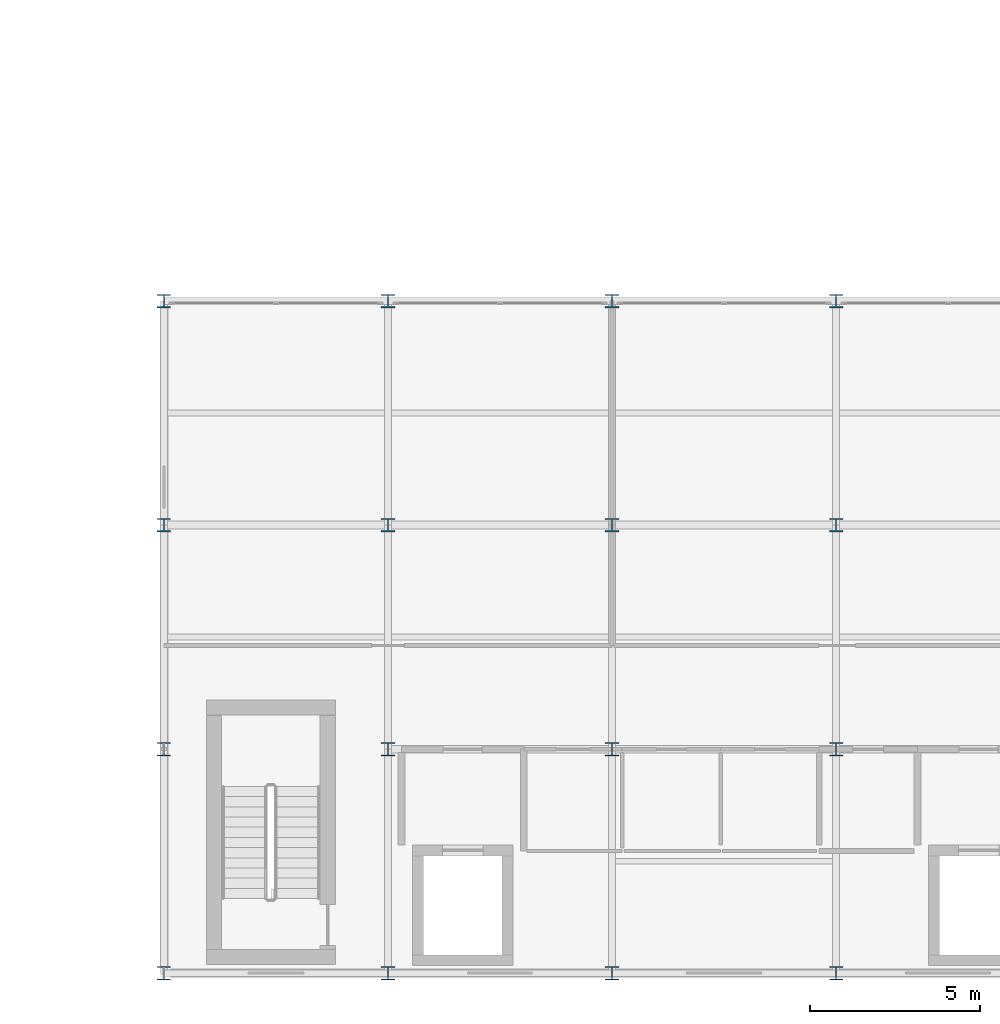
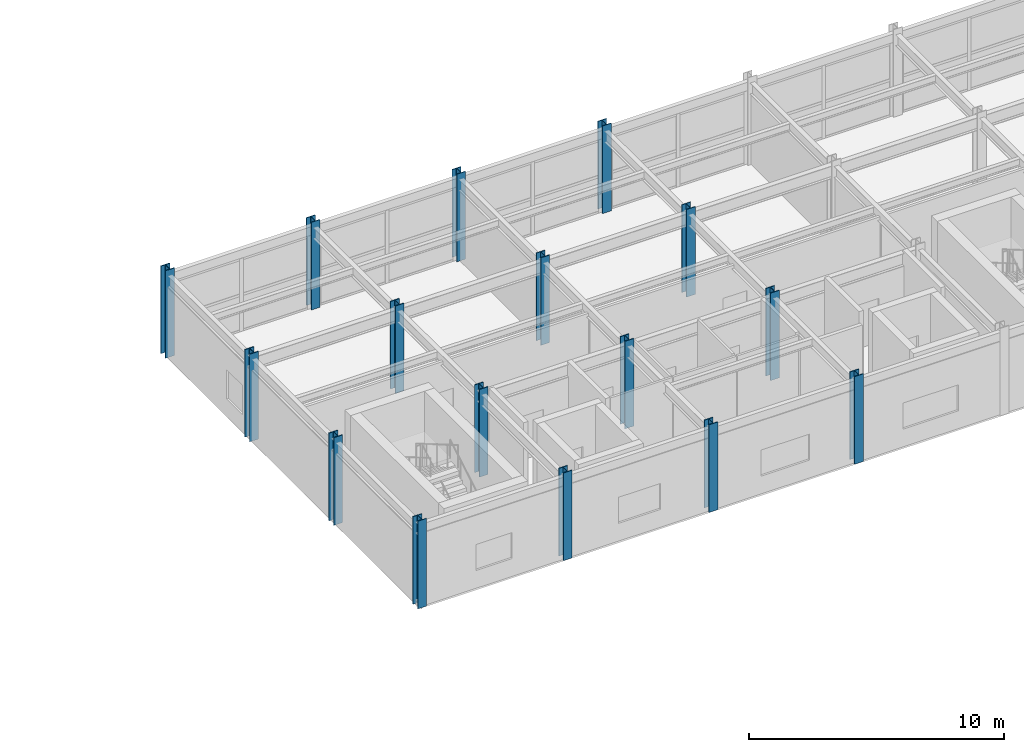
# One storey, part 10 of 157: 16 columns.
"""IFC4 building model written with IfcOpenShell, lengths in metres."""

import ifcopenshell
import ifcopenshell.guid

model = None  # the IFC model being written
_history = None  # IfcOwnerHistory: only IFC2X3 demands one
_inside = {}  # id of a spatial element -> (the spatial element, [elements in it])
_under = {}  # id of a project, library or spatial element -> (it, [spatial elements below it])
_declared = {}  # id of a project -> (the project, [libraries it declares])
_typed = {}  # id of a type object -> (the type object, [elements of that type])
_made_of = {}  # id of a material, layer set ... -> (it, [elements and type objects made of it])


def new_model(schema):
    """Start an empty IFC model of exactly this schema.

    Asked for "IFC4X3", IfcOpenShell would pick the latest addendum, in which some entities
    have other attributes; the version numbers below select the first issue.
    IFC2X3 requires an IfcOwnerHistory on every rooted entity: one is made here for all.
    """
    global model, _history
    if schema == "IFC4X3":
        model = ifcopenshell.file(schema_version=(4, 3, 0, 0))
    else:
        model = ifcopenshell.file(schema=schema)
    _inside.clear()
    _under.clear()
    _declared.clear()
    _typed.clear()
    _made_of.clear()
    _history = None
    if model.schema == "IFC2X3":
        org = make("IfcOrganization", Name="unknown")
        user = make(
            "IfcPersonAndOrganization",
            ThePerson=make("IfcPerson", FamilyName="unknown"),
            TheOrganization=org,
        )
        app = make(
            "IfcApplication",
            ApplicationDeveloper=org,
            Version="unknown",
            ApplicationFullName="unknown",
            ApplicationIdentifier="unknown",
        )
        _history = make(
            "IfcOwnerHistory",
            OwningUser=user,
            OwningApplication=app,
            ChangeAction="ADDED",
            CreationDate=0,
        )
    return model


def make(cls, **values):
    """One entity of the class cls with the attributes given. An attribute that is None is left unset."""
    return model.create_entity(
        cls, **{name: value for name, value in values.items() if value is not None}
    )


def rooted(cls, **values):
    """An entity with a GlobalId (a new one), such as an element, a storey or a relation."""
    return make(cls, GlobalId=ifcopenshell.guid.new(), OwnerHistory=_history, **values)


def si_unit(unit_type, name, prefix=None):
    """IfcSIUnit, for example si_unit("LENGTHUNIT", "METRE", prefix="MILLI")."""
    return make("IfcSIUnit", UnitType=unit_type, Prefix=prefix, Name=name)


def assignment(units):
    """IfcUnitAssignment: the units of a project."""
    return None if units is None else make("IfcUnitAssignment", Units=units)


def point(xyz):
    """IfcCartesianPoint."""
    return None if xyz is None else make("IfcCartesianPoint", Coordinates=xyz)


def direction(xyz):
    """IfcDirection."""
    return None if xyz is None else make("IfcDirection", DirectionRatios=xyz)


def frame(location, z_axis=None, x_axis=None):
    """IfcAxis2Placement3D, a coordinate frame: its origin and axes. An axis left out is left unset."""
    return make(
        "IfcAxis2Placement3D",
        Location=point(location),
        Axis=direction(z_axis),
        RefDirection=direction(x_axis),
    )


def frame_2d(location, x_axis=None):
    """IfcAxis2Placement2D, a coordinate frame in the plane: its origin and x axis."""
    return make(
        "IfcAxis2Placement2D", Location=point(location), RefDirection=direction(x_axis)
    )


def origin():
    """The frame at (0, 0, 0) with its axes left unset."""
    return frame((0.0, 0.0, 0.0))


def origin_2d():
    """The frame at (0, 0) in the plane with its x axis left unset."""
    return frame_2d((0.0, 0.0))


def place(relative_to, where):
    """IfcLocalPlacement: puts the frame where relative to a parent placement (None: the world)."""
    return make(
        "IfcLocalPlacement", PlacementRelTo=relative_to, RelativePlacement=where
    )


def context(
    kind, dimensions, precision=None, world=None, true_north=None, identifier=None
):
    """IfcGeometricRepresentationContext, for example the 3D "Model" context."""
    return make(
        "IfcGeometricRepresentationContext",
        ContextIdentifier=identifier,
        ContextType=kind,
        CoordinateSpaceDimension=dimensions,
        Precision=precision,
        WorldCoordinateSystem=world,
        TrueNorth=true_north,
    )


def subcontext(parent, identifier, kind, view, scale=None):
    """IfcGeometricRepresentationSubContext, for example "Body" below "Model"."""
    return make(
        "IfcGeometricRepresentationSubContext",
        ContextIdentifier=identifier,
        ContextType=kind,
        ParentContext=parent,
        TargetScale=scale,
        TargetView=view,
    )


def project(units=None, contexts=None):
    """IfcProject with its units and contexts."""
    return rooted(
        "IfcProject",
        Name="project",
        RepresentationContexts=contexts,
        UnitsInContext=assignment(units),
    )


def spatial(cls, under=None, at=None, **own):
    """A site, building, storey or space (cls), placed at a placement, below another one or the project."""
    s = rooted(cls, ObjectPlacement=at, **own)
    if under is not None:
        _under.setdefault(under.id(), (under, []))[1].append(s)
    return s


def profile(cls, at=None, kind="AREA", **sizes):
    """A parametric profile (cls). Its sizes go by their IFC names, for example OverallWidth=200.0."""
    return make(cls, ProfileType=kind, Position=at, **sizes)


def i_section(**sizes):
    """IfcIShapeProfileDef."""
    return profile("IfcIShapeProfileDef", **sizes)


def extrude(swept, where, along, depth):
    """IfcExtrudedAreaSolid: the profile swept, set in the frame where, extruded along a direction by depth."""
    return make(
        "IfcExtrudedAreaSolid",
        SweptArea=swept,
        Position=where,
        ExtrudedDirection=direction(along),
        Depth=depth,
    )


def shape(context_of_items, identifier, shape_type, items):
    """IfcShapeRepresentation: the items that make up one representation, for example the "Body"."""
    return make(
        "IfcShapeRepresentation",
        ContextOfItems=context_of_items,
        RepresentationIdentifier=identifier,
        RepresentationType=shape_type,
        Items=items,
    )


def material(Name=None, Category=None):
    """IfcMaterial."""
    return make("IfcMaterial", Name=Name, Category=Category)


def material_profile(
    of_material, cross_section, Name=None, Category=None, Priority=None
):
    """IfcMaterialProfile: a cross section and its material."""
    return make(
        "IfcMaterialProfile",
        Name=Name,
        Material=of_material,
        Profile=cross_section,
        Priority=Priority,
        Category=Category,
    )


def profile_set(profiles, Name=None, composite=None):
    """IfcMaterialProfileSet."""
    return make(
        "IfcMaterialProfileSet",
        Name=Name,
        MaterialProfiles=profiles,
        CompositeProfile=composite,
    )


def made_of(thing, what):
    """Note that an element or type object is made of a material, layer set ...; save() writes the relation."""
    if what is not None:
        _made_of.setdefault(what.id(), (what, []))[1].append(thing)
    return thing


def type_object(cls, material=None, **own):
    """A type object (cls), such as IfcWallType, which elements share."""
    return made_of(rooted(cls, **own), material)


def element(
    cls,
    number,
    at=None,
    inside=None,
    cuts=None,
    type_object=None,
    material=None,
    context=None,
    identifier="Body",
    shape_type=None,
    held_by="IfcProductDefinitionShape",
    body=None,
    shapes=None,
    **own,
):
    """One element of the class cls, such as IfcWall. Its Tag is "e" and its number.

    at: its placement. inside: the storey or other place that contains it. cuts: it is an
    opening in that element (IfcRelVoidsElement). A single representation is given by context,
    identifier, shape_type and body (its items); several are given by shapes. held_by: the class
    of the entity that holds the representations. save() writes the other relations.
    """
    e = rooted(cls, Tag="e%d" % number, ObjectPlacement=at, **own)
    if body is not None:
        shapes = [shape(context, identifier, shape_type, body)]
    if shapes is not None:
        e.Representation = make(held_by, Representations=shapes)
    if inside is not None:
        _inside.setdefault(inside.id(), (inside, []))[1].append(e)
    if cuts is not None:
        rooted(
            "IfcRelVoidsElement", RelatingBuildingElement=cuts, RelatedOpeningElement=e
        )
    if type_object is not None:
        _typed.setdefault(type_object.id(), (type_object, []))[1].append(e)
    return made_of(e, material)


def aggregate(whole, parts):
    """IfcRelAggregates: a whole, such as a stair, and the parts it consists of."""
    return rooted("IfcRelAggregates", RelatingObject=whole, RelatedObjects=parts)


def save(model, path):
    """Write the relations noted so far, then the file.

    IfcRelAggregates (storeys below a building ...), IfcRelContainedInSpatialStructure (elements
    in a storey), IfcRelDefinesByType, IfcRelAssociatesMaterial and IfcRelDeclares: one each for
    every whole, place, type object, material and project.
    """
    for whole, parts in _under.values():
        aggregate(whole, parts)
    for where, things in _inside.values():
        rooted(
            "IfcRelContainedInSpatialStructure",
            RelatedElements=things,
            RelatingStructure=where,
        )
    for kind, things in _typed.values():
        rooted("IfcRelDefinesByType", RelatedObjects=things, RelatingType=kind)
    for what, things in _made_of.values():
        rooted("IfcRelAssociatesMaterial", RelatedObjects=things, RelatingMaterial=what)
    for by, libraries in _declared.values():
        rooted("IfcRelDeclares", RelatingContext=by, RelatedDefinitions=libraries)
    model.write(path)


model = new_model("IFC4")

# Units and contexts
model_context = context("Model", 3, precision=1e-05, world=origin(), true_north=direction((0.0, 1.0)))
body_context = subcontext(model_context, "Body", "Model", "MODEL_VIEW")
ifc_project = project(units=[si_unit("LENGTHUNIT", "METRE"), si_unit("AREAUNIT", "SQUARE_METRE"), si_unit("VOLUMEUNIT", "CUBIC_METRE"), si_unit("PLANEANGLEUNIT", "RADIAN"), si_unit("MASSUNIT", "GRAM", prefix="KILO")], contexts=[model_context])

# Site, building, storey
site_placement = place(None, origin())
site = spatial("IfcSite", under=ifc_project, at=site_placement, CompositionType="ELEMENT")
building_placement = place(site_placement, origin())
building = spatial("IfcBuilding", under=site, at=building_placement, Name="Karori Crest Natural Sciences Institute", CompositionType="ELEMENT")
storey_placement = place(building_placement, frame((0.0, 0.0, 13.300048828125)))
storey = spatial("IfcBuildingStorey", under=building, at=storey_placement, Name="L03", CompositionType="ELEMENT", Elevation=13.300048828125)

# Columns
ifc_material = material(Name="Structural steel AS/NZS 3679.1 Grade 350", Category="steel")
ifc_material_profile_1 = material_profile(ifc_material, i_section(OverallWidth=0.39990234375, OverallDepth=0.39990234375, WebThickness=0.02001953125, FlangeThickness=0.034912109375, FilletRadius=0.01611328125, at=origin_2d()), Name="400WC328")
ifc_profile_set_1 = profile_set([ifc_material_profile_1], Name="Structural steel AS/NZS 3679.1 Grade 350")
column_type_1 = type_object("IfcColumnType", Name="CT-02", PredefinedType="COLUMN", material=ifc_profile_set_1)
for number, where, z_axis, x_axis, name in (
    (1, (110.199951171875, 7.39990234375, 0.0), (0.0, 0.0, 1.0), (1.0, 0.0, 0.0), "Column C-1081"),
    (2, (110.199951171875, 14.0, 0.0), (0.0, 0.0, 1.0), (1.0, 0.0, 0.0), "Column C-1093"),
    (3, (116.800048828125, 7.39990234375, 0.0), (0.0, 0.0, 1.0), (1.0, 0.0, 0.0), "Column C-1129"),
    (4, (116.800048828125, 14.0, 0.0), (0.0, 0.0, 1.0), (1.0, 0.0, 0.0), "Column C-1141"),
    (5, (123.39990234375, 7.39990234375, 0.0), (0.0, 0.0, 1.0), (1.0, 0.0, 0.0), "Column C-1177"),
    (6, (123.39990234375, 14.0, 0.0), (0.0, 0.0, 1.0), (1.0, 0.0, 0.0), "Column C-1189"),
):
    element("IfcColumn", number, at=place(storey_placement, frame(where, z_axis=z_axis, x_axis=x_axis)), inside=storey, type_object=column_type_1, Name=name, PredefinedType="COLUMN", context=body_context, shape_type="SweptSolid", body=[
        extrude(i_section(OverallWidth=0.39990234375, OverallDepth=0.39990234375, WebThickness=0.02001953125, FlangeThickness=0.034912109375, FilletRadius=0.01611328125, at=origin_2d()), origin(), (0.0, 0.0, 1.0), 4.199951171875),
    ])
ifc_material_profile_2 = material_profile(ifc_material, i_section(OverallWidth=0.39990234375, OverallDepth=0.39990234375, WebThickness=0.02001953125, FlangeThickness=0.034912109375, FilletRadius=0.01611328125, at=origin_2d()), Name="400WC328")
ifc_profile_set_2 = profile_set([ifc_material_profile_2], Name="Structural steel AS/NZS 3679.1 Grade 350")
column_type_2 = type_object("IfcColumnType", Name="CT-02-EL", PredefinedType="COLUMN", material=ifc_profile_set_2)
for number, where, z_axis, x_axis, name in (
    (7, (103.60009765625, 0.800048828125, 0.0), (0.0, 0.0, 1.0), (1.0, 0.0, 0.0), "Column C-1021"),
    (8, (103.60009765625, 7.39990234375, 0.0), (0.0, 0.0, 1.0), (1.0, 0.0, 0.0), "Column C-1033"),
    (9, (103.60009765625, 14.0, 0.0), (0.0, 0.0, 1.0), (1.0, 0.0, 0.0), "Column C-1045"),
    (10, (103.60009765625, 20.60009765625, 0.0), (0.0, 0.0, 1.0), (1.0, 0.0, 0.0), "Column C-1057"),
    (11, (110.199951171875, 0.800048828125, 0.0), (0.0, 0.0, 1.0), (1.0, 0.0, 0.0), "Column C-1069"),
    (12, (110.199951171875, 20.60009765625, 0.0), (0.0, 0.0, 1.0), (1.0, 0.0, 0.0), "Column C-1105"),
    (13, (116.800048828125, 0.800048828125, 0.0), (0.0, 0.0, 1.0), (1.0, 0.0, 0.0), "Column C-1117"),
    (14, (116.800048828125, 20.60009765625, 0.0), (0.0, 0.0, 1.0), (1.0, 0.0, 0.0), "Column C-1153"),
    (15, (123.39990234375, 0.800048828125, 0.0), (0.0, 0.0, 1.0), (1.0, 0.0, 0.0), "Column C-1165"),
    (16, (123.39990234375, 20.60009765625, 0.0), (0.0, 0.0, 1.0), (1.0, 0.0, 0.0), "Column C-1201"),
):
    element("IfcColumn", number, at=place(storey_placement, frame(where, z_axis=z_axis, x_axis=x_axis)), inside=storey, type_object=column_type_2, Name=name, PredefinedType="COLUMN", context=body_context, shape_type="SweptSolid", body=[
        extrude(i_section(OverallWidth=0.39990234375, OverallDepth=0.39990234375, WebThickness=0.02001953125, FlangeThickness=0.034912109375, FilletRadius=0.01611328125, at=origin_2d()), origin(), (0.0, 0.0, 1.0), 4.199951171875),
    ])

save(model, "model.ifc")
